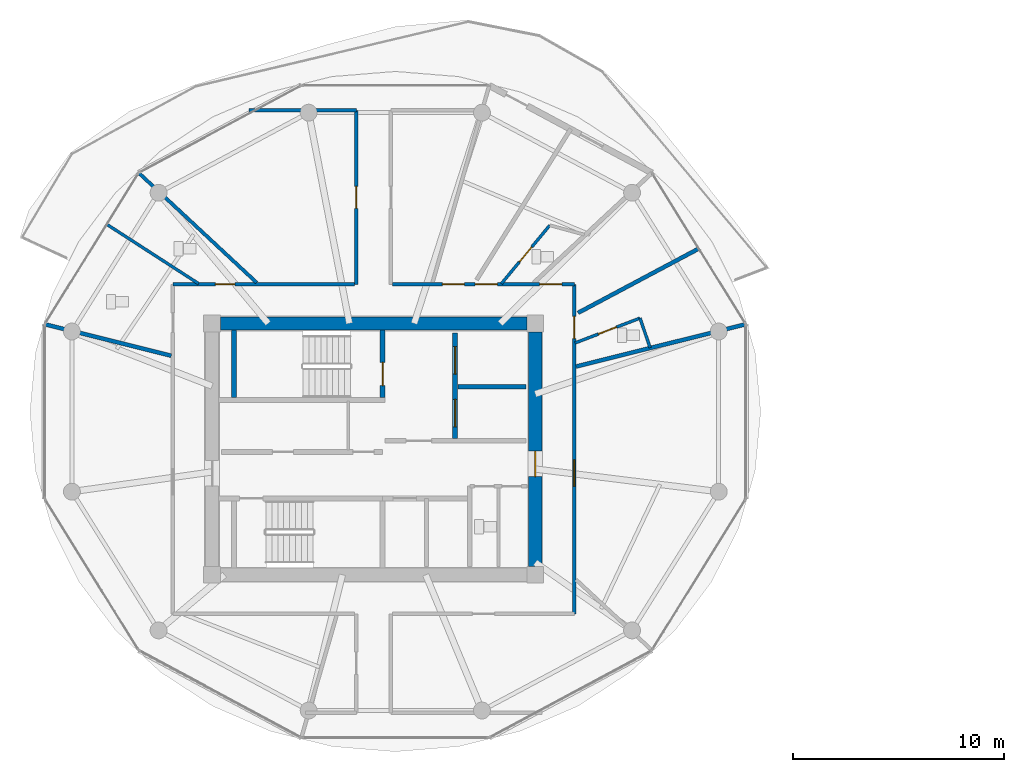
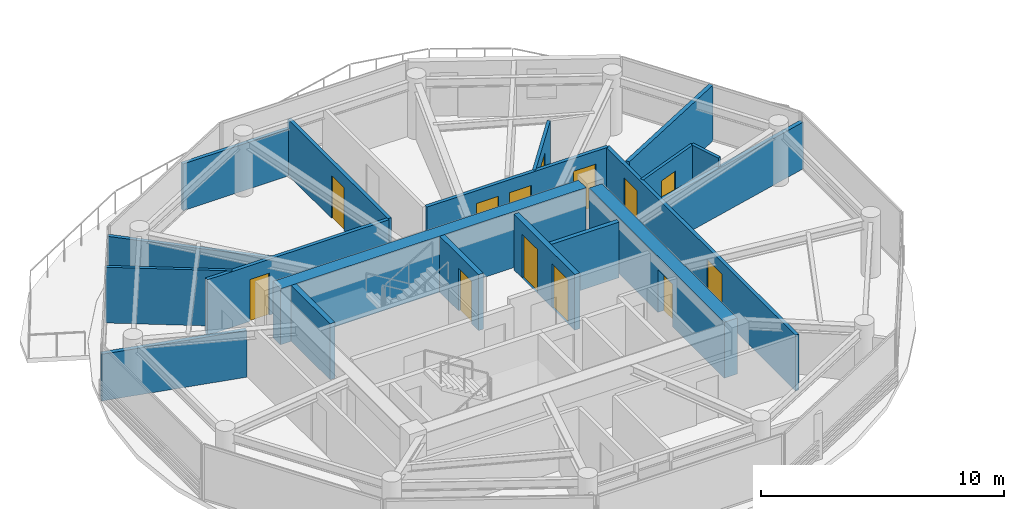
# One storey, part 13 of 21: 19 walls, 13 doors, 13 openings.
"""IFC4 building model written with IfcOpenShell, lengths in metres."""

from ifc_helpers import new_model, si_unit, direction, frame, frame_2d, origin, place, context, subcontext, project, spatial, rectangle, extrude, source, transform, mapped, material, layer, layer_set, type_object, type_shapes, element, fill, save


model = new_model("IFC4")

# Units and contexts
model_context = context("Model", 3, precision=1e-05, world=origin(), true_north=direction((0.0, 1.0)))
body_context = subcontext(model_context, "Body", "Model", "MODEL_VIEW")
ifc_project = project(units=[si_unit("LENGTHUNIT", "METRE"), si_unit("AREAUNIT", "SQUARE_METRE"), si_unit("VOLUMEUNIT", "CUBIC_METRE"), si_unit("PLANEANGLEUNIT", "RADIAN"), si_unit("MASSUNIT", "GRAM", prefix="KILO")], contexts=[model_context])

# Site, building, storey
site_placement = place(None, origin())
site = spatial("IfcSite", under=ifc_project, at=site_placement, CompositionType="ELEMENT")
building_placement = place(site_placement, origin())
building = spatial("IfcBuilding", under=site, at=building_placement, Name="Norrkilde Senior Care Towers", CompositionType="ELEMENT")
storey_placement = place(building_placement, frame((0.0, 0.0, 146.5)))
storey = spatial("IfcBuildingStorey", under=building, at=storey_placement, Name="L45", CompositionType="ELEMENT", Elevation=146.5)

# Wall
ifc_material_1 = material(Name="Concrete C50/60", Category="concrete")
ifc_layer_1 = layer(ifc_material_1, 0.6201171875)
ifc_layer_set_1 = layer_set([ifc_layer_1], Name="Concrete C50/60")
wall_type_1 = type_object("IfcWallType", Name="Core Shear Wall Z3 620", PredefinedType="SHEAR", material=ifc_layer_set_1)
shared_shape_1 = source(origin(), body_context, "Body", "SweptSolid", [
    extrude(rectangle(XDim=14.5, YDim=0.6201171875, at=frame_2d((7.25, 0.0))), origin(), (0.0, 0.0, 1.0), 2.81005859375),
])
wall_1_placement = place(storey_placement, frame((-35.25, 5.949951171875, 0.0), z_axis=(0.0, 0.0, 1.0), x_axis=(1.0, 0.0, 0.0)))
element("IfcWall", 1, at=wall_1_placement, inside=storey, type_object=wall_type_1, Name="L45 Core W North Shear Wall", PredefinedType="SHEAR", context=body_context, shape_type="MappedRepresentation", body=[
    mapped(shared_shape_1, transform((0.0, 0.0, 0.0), x_axis=(1.0, 0.0, 0.0), y_axis=(0.0, 1.0, 0.0), z_axis=(0.0, 0.0, 1.0), scale=1.0)),
])

# Wall, opening, door
shared_shape_2 = source(origin(), body_context, "Body", "SweptSolid", [
    extrude(rectangle(XDim=11.10009765625, YDim=0.6201171875, at=frame_2d((5.550048828125, 0.0))), origin(), (0.0, 0.0, 1.0), 2.81005859375),
])
type_shapes(wall_type_1, [shared_shape_1, shared_shape_2])
wall_2_placement = place(storey_placement, frame((-20.35009765625, 5.550048828125, 0.0), z_axis=(0.0, 0.0, 1.0), x_axis=(0.0, -1.0, 0.0)))
wall_2 = element("IfcWall", 2, at=wall_2_placement, inside=storey, type_object=wall_type_1, Name="L45 Core W East Shear Wall", PredefinedType="SHEAR", context=body_context, shape_type="MappedRepresentation", body=[
    mapped(shared_shape_2, transform((0.0, 0.0, 0.0), x_axis=(1.0, 0.0, 0.0), y_axis=(0.0, 1.0, 0.0), z_axis=(0.0, 0.0, 1.0), scale=1.0)),
])
opening_1_placement = place(wall_2_placement, frame((5.64990234375, 0.0, 0.0)))
opening_1 = element("IfcOpeningElement", 3, at=opening_1_placement, cuts=wall_2, Name="Opening D-04", PredefinedType="OPENING", context=body_context, shape_type="SweptSolid", body=[
    extrude(rectangle(XDim=1.199951171875, YDim=2.14990234375, at=frame_2d((0.60009765625, 1.074951171875))), frame((0.0, 0.320068359375, 0.0), z_axis=(0.0, -1.0, 0.0), x_axis=(1.0, 0.0, 0.0)), (0.0, 0.0, 1.0), 0.64013671875),
])
ifc_material_2 = material(Name="Galvanised Painted Steel", Category="steel")
door_type_1 = type_object("IfcDoorType", Name="Firefighting Lobby Fire Door 1200x2150", OperationType="NOTDEFINED", PredefinedType="DOOR", material=ifc_material_2)
shared_shape_3 = source(origin(), body_context, "Body", "SweptSolid", [
    extrude(rectangle(XDim=1.199951171875, YDim=2.14990234375, at=frame_2d((0.60009765625, 1.074951171875))), frame((0.0, 0.02490234375, 0.0), z_axis=(0.0, -1.0, 0.0), x_axis=(1.0, 0.0, 0.0)), (0.0, 0.0, 1.0), 0.050048828125),
])
type_shapes(door_type_1, [shared_shape_3])
door_1_placement = place(opening_1_placement, frame((1.199951171875, 0.0, 0.0), z_axis=(0.0, 0.0, 1.0), x_axis=(-1.0, 0.0, 0.0)))
door_1 = element("IfcDoor", 4, at=door_1_placement, inside=storey, type_object=door_type_1, Name="L45 Core W East Portal Door", OperationType="SINGLE_SWING_RIGHT", OverallHeight=2.14990234375, OverallWidth=1.199951171875, PredefinedType="DOOR", context=body_context, shape_type="MappedRepresentation", body=[
    mapped(shared_shape_3, transform((0.0, 0.0, 0.0), x_axis=(1.0, 0.0, 0.0), y_axis=(0.0, 1.0, 0.0), z_axis=(0.0, 0.0, 1.0), scale=1.0)),
])
fill(opening_1, door_1)

# Wall
ifc_material_3 = material(Name="Concrete C45/55", Category="concrete")
ifc_layer_2 = layer(ifc_material_3, 0.239990234375)
ifc_layer_set_2 = layer_set([ifc_layer_2], Name="Concrete C45/55")
wall_type_2 = type_object("IfcWallType", Name="Shaft and Stair Enclosure Wall 240", PredefinedType="PARTITIONING", material=ifc_layer_set_2)
shared_shape_4 = source(origin(), body_context, "Body", "SweptSolid", [
    extrude(rectangle(XDim=3.18994140625, YDim=0.239990234375, at=frame_2d((1.594970703125, 0.0))), origin(), (0.0, 0.0, 1.0), 2.81005859375),
])
type_shapes(wall_type_2, [shared_shape_4])
wall_3_placement = place(storey_placement, frame((-34.6201171875, 2.449951171875, 0.0), z_axis=(0.0, 0.0, 1.0), x_axis=(0.0, 1.0, 0.0)))
element("IfcWall", 5, at=wall_3_placement, inside=storey, type_object=wall_type_2, Name="WL-INT-L45-W-ST1W", PredefinedType="PARTITIONING", context=body_context, shape_type="MappedRepresentation", body=[
    mapped(shared_shape_4, transform((0.0, 0.0, 0.0), x_axis=(1.0, 0.0, 0.0), y_axis=(0.0, 1.0, 0.0), z_axis=(0.0, 0.0, 1.0), scale=1.0)),
])

# Wall, opening, door
wall_4_placement = place(storey_placement, frame((-27.580078125, 2.449951171875, 0.0), z_axis=(0.0, 0.0, 1.0), x_axis=(0.0, 1.0, 0.0)))
wall_4 = element("IfcWall", 6, at=wall_4_placement, inside=storey, type_object=wall_type_2, Name="WL-INT-L45-W-ST1E", PredefinedType="PARTITIONING", context=body_context, shape_type="MappedRepresentation", body=[
    mapped(shared_shape_4, transform((0.0, 0.0, 0.0), x_axis=(1.0, 0.0, 0.0), y_axis=(0.0, 1.0, 0.0), z_axis=(0.0, 0.0, 1.0), scale=1.0)),
])
opening_2_placement = place(wall_4_placement, frame((0.550048828125, 0.0, 0.0)))
opening_2 = element("IfcOpeningElement", 7, at=opening_2_placement, cuts=wall_4, Name="Opening D-03", PredefinedType="OPENING", context=body_context, shape_type="SweptSolid", body=[
    extrude(rectangle(XDim=1.10009765625, YDim=2.14990234375, at=frame_2d((0.550048828125, 1.074951171875))), frame((0.0, 0.1298828125, 0.0), z_axis=(0.0, -1.0, 0.0), x_axis=(1.0, 0.0, 0.0)), (0.0, 0.0, 1.0), 0.260009765625),
])
door_type_2 = type_object("IfcDoorType", Name="Stairwell Protected Fire Door 1100x2150", OperationType="NOTDEFINED", PredefinedType="DOOR", material=ifc_material_2)
shared_shape_5 = source(origin(), body_context, "Body", "SweptSolid", [
    extrude(rectangle(XDim=1.10009765625, YDim=2.14990234375, at=frame_2d((0.550048828125, 1.074951171875))), frame((0.0, 0.02490234375, 0.0), z_axis=(0.0, -1.0, 0.0), x_axis=(1.0, 0.0, 0.0)), (0.0, 0.0, 1.0), 0.050048828125),
])
type_shapes(door_type_2, [shared_shape_5])
door_2_placement = place(opening_2_placement, origin())
door_2 = element("IfcDoor", 8, at=door_2_placement, inside=storey, type_object=door_type_2, Name="L45 Stair W1 Fire Door", OperationType="SINGLE_SWING_LEFT", OverallHeight=2.14990234375, OverallWidth=1.10009765625, PredefinedType="DOOR", context=body_context, shape_type="MappedRepresentation", body=[
    mapped(shared_shape_5, transform((0.0, 0.0, 0.0), x_axis=(1.0, 0.0, 0.0), y_axis=(0.0, 1.0, 0.0), z_axis=(0.0, 0.0, 1.0), scale=1.0)),
])
fill(opening_2, door_2)

# Wall, openings, doors
ifc_layer_3 = layer(ifc_material_3, 0.239990234375)
ifc_layer_set_3 = layer_set([ifc_layer_3], Name="Concrete C45/55")
wall_type_3 = type_object("IfcWallType", Name="Lift and Plant Rated Enclosure Partition 240", PredefinedType="PARTITIONING", material=ifc_layer_set_3)
shared_shape_6 = source(origin(), body_context, "Body", "SweptSolid", [
    extrude(rectangle(XDim=5.0, YDim=0.239990234375, at=frame_2d((2.5, 0.0))), origin(), (0.0, 0.0, 1.0), 2.794921875),
])
type_shapes(wall_type_3, [shared_shape_6])
wall_5_placement = place(storey_placement, frame((-24.139892578125, 0.5, 0.0), z_axis=(0.0, 0.0, 1.0), x_axis=(0.0, 1.0, 0.0)))
wall_5 = element("IfcWall", 9, at=wall_5_placement, inside=storey, type_object=wall_type_3, Name="WL-INT-L45-W-FFLE", PredefinedType="PARTITIONING", context=body_context, shape_type="MappedRepresentation", body=[
    mapped(shared_shape_6, transform((0.0, 0.0, 0.0), x_axis=(1.0, 0.0, 0.0), y_axis=(0.0, 1.0, 0.0), z_axis=(0.0, 0.0, 1.0), scale=1.0)),
])
opening_3_placement = place(wall_5_placement, frame((3.050048828125, 0.0, 0.0)))
opening_3 = element("IfcOpeningElement", 10, at=opening_3_placement, cuts=wall_5, Name="Opening LD-02", PredefinedType="OPENING", context=body_context, shape_type="SweptSolid", body=[
    extrude(rectangle(XDim=1.300048828125, YDim=2.199951171875, at=frame_2d((0.64990234375, 1.10009765625))), frame((0.0, 0.1298828125, 0.0), z_axis=(0.0, -1.0, 0.0), x_axis=(1.0, 0.0, 0.0)), (0.0, 0.0, 1.0), 0.260009765625),
])
opening_4_placement = place(wall_5_placement, frame((0.550048828125, 0.0, 0.0)))
opening_4 = element("IfcOpeningElement", 11, at=opening_4_placement, cuts=wall_5, Name="Opening LD-02", PredefinedType="OPENING", context=body_context, shape_type="SweptSolid", body=[
    extrude(rectangle(XDim=1.300048828125, YDim=2.199951171875, at=frame_2d((0.64990234375, 1.10009765625))), frame((0.0, 0.1298828125, 0.0), z_axis=(0.0, -1.0, 0.0), x_axis=(1.0, 0.0, 0.0)), (0.0, 0.0, 1.0), 0.260009765625),
])
ifc_material_4 = material(Name="Stainless Steel", Category="steel")
door_type_3 = type_object("IfcDoorType", Name="Stretcher and FFL Landing Sliding Door 1300x2200", OperationType="NOTDEFINED", PredefinedType="DOOR", material=ifc_material_4)
shared_shape_7 = source(origin(), body_context, "Body", "SweptSolid", [
    extrude(rectangle(XDim=1.300048828125, YDim=2.199951171875, at=frame_2d((0.64990234375, 1.10009765625))), frame((0.0, 0.02490234375, 0.0), z_axis=(0.0, -1.0, 0.0), x_axis=(1.0, 0.0, 0.0)), (0.0, 0.0, 1.0), 0.050048828125),
])
type_shapes(door_type_3, [shared_shape_7])
door_3_placement = place(opening_3_placement, origin())
door_3 = element("IfcDoor", 12, at=door_3_placement, inside=storey, type_object=door_type_3, Name="L45 Firefighting Lift W1 Landing Door", OperationType="SLIDING_TO_LEFT", OverallHeight=2.199951171875, OverallWidth=1.300048828125, PredefinedType="DOOR", context=body_context, shape_type="MappedRepresentation", body=[
    mapped(shared_shape_7, transform((0.0, 0.0, 0.0), x_axis=(1.0, 0.0, 0.0), y_axis=(0.0, 1.0, 0.0), z_axis=(0.0, 0.0, 1.0), scale=1.0)),
])
fill(opening_3, door_3)
door_4_placement = place(opening_4_placement, origin())
door_4 = element("IfcDoor", 13, at=door_4_placement, inside=storey, type_object=door_type_3, Name="L45 Stretcher Lift W1 Landing Door", OperationType="SLIDING_TO_RIGHT", OverallHeight=2.199951171875, OverallWidth=1.300048828125, PredefinedType="DOOR", context=body_context, shape_type="MappedRepresentation", body=[
    mapped(shared_shape_7, transform((0.0, 0.0, 0.0), x_axis=(1.0, 0.0, 0.0), y_axis=(0.0, 1.0, 0.0), z_axis=(0.0, 0.0, 1.0), scale=1.0)),
])
fill(opening_4, door_4)

# Wall
ifc_layer_4 = layer(ifc_material_3, 0.199951171875)
ifc_layer_set_4 = layer_set([ifc_layer_4], Name="Concrete C45/55")
wall_type_4 = type_object("IfcWallType", Name="Shaft Division and Plant Partition 200", PredefinedType="PARTITIONING", material=ifc_layer_set_4)
shared_shape_8 = source(origin(), body_context, "Body", "SweptSolid", [
    extrude(rectangle(XDim=3.199951171875, YDim=0.199951171875, at=frame_2d((1.60009765625, 0.0))), origin(), (0.0, 0.0, 1.0), 2.794921875),
])
type_shapes(wall_type_4, [shared_shape_8])
wall_6_placement = place(storey_placement, frame((-24.0, 2.949951171875, 0.0), z_axis=(0.0, 0.0, 1.0), x_axis=(1.0, 0.0, 0.0)))
element("IfcWall", 14, at=wall_6_placement, inside=storey, type_object=wall_type_4, Name="WL-INT-L45-W-FFLDIV", PredefinedType="PARTITIONING", context=body_context, shape_type="MappedRepresentation", body=[
    mapped(shared_shape_8, transform((0.0, 0.0, 0.0), x_axis=(1.0, 0.0, 0.0), y_axis=(0.0, 1.0, 0.0), z_axis=(0.0, 0.0, 1.0), scale=1.0)),
])

# Wall, opening, door
ifc_material_5 = material(Name="Gypsum Acoustic Board")
ifc_layer_5 = layer(ifc_material_5, 0.1650390625)
ifc_layer_set_5 = layer_set([ifc_layer_5], Name="Gypsum Acoustic Board")
wall_type_5 = type_object("IfcWallType", Name="Corridor Rated Partition 165", PredefinedType="PARTITIONING", material=ifc_layer_set_5)
shared_shape_9 = source(origin(), body_context, "Body", "SweptSolid", [
    extrude(rectangle(XDim=8.60009765625, YDim=0.1650390625, at=frame_2d((4.300048828125, 0.0))), origin(), (0.0, 0.0, 1.0), 2.794921875),
])
wall_7_placement = place(storey_placement, frame((-37.5, 7.800048828125, 0.0), z_axis=(0.0, 0.0, 1.0), x_axis=(1.0, 0.0, 0.0)))
wall_7 = element("IfcWall", 15, at=wall_7_placement, inside=storey, type_object=wall_type_5, Name="WL-INT-L45-W-CRW-N-0", PredefinedType="PARTITIONING", context=body_context, shape_type="MappedRepresentation", body=[
    mapped(shared_shape_9, transform((0.0, 0.0, 0.0), x_axis=(1.0, 0.0, 0.0), y_axis=(0.0, 1.0, 0.0), z_axis=(0.0, 0.0, 1.0), scale=1.0)),
])
opening_5_placement = place(wall_7_placement, frame((2.008544921875, 0.0, 0.0)))
opening_5 = element("IfcOpeningElement", 16, at=opening_5_placement, cuts=wall_7, Name="Opening D-08", PredefinedType="OPENING", context=body_context, shape_type="SweptSolid", body=[
    extrude(rectangle(XDim=0.919921875, YDim=2.10009765625, at=frame_2d((0.4599609375, 1.050048828125))), frame((0.0, 0.092529296875, 0.0), z_axis=(0.0, -1.0, 0.0), x_axis=(1.0, 0.0, 0.0)), (0.0, 0.0, 1.0), 0.18505859375),
])
ifc_material_6 = material(Name="Nordic Ash Timber", Category="wood")
door_type_4 = type_object("IfcDoorType", Name="Accessible Wet Room Door 920x2100", OperationType="NOTDEFINED", PredefinedType="DOOR", material=ifc_material_6)
shared_shape_10 = source(origin(), body_context, "Body", "SweptSolid", [
    extrude(rectangle(XDim=0.919921875, YDim=2.10009765625, at=frame_2d((0.4599609375, 1.050048828125))), frame((0.0, 0.02490234375, 0.0), z_axis=(0.0, -1.0, 0.0), x_axis=(1.0, 0.0, 0.0)), (0.0, 0.0, 1.0), 0.050048828125),
])
type_shapes(door_type_4, [shared_shape_10])
door_5_placement = place(opening_5_placement, frame((0.919921875, 0.0, 0.0), z_axis=(0.0, 0.0, 1.0), x_axis=(-1.0, 0.0, 0.0)))
door_5 = element("IfcDoor", 17, at=door_5_placement, inside=storey, type_object=door_type_4, Name="L45 Accessible Restroom Door", OperationType="SINGLE_SWING_LEFT", OverallHeight=2.10009765625, OverallWidth=0.919921875, PredefinedType="DOOR", context=body_context, shape_type="MappedRepresentation", body=[
    mapped(shared_shape_10, transform((0.0, 0.0, 0.0), x_axis=(1.0, 0.0, 0.0), y_axis=(0.0, 1.0, 0.0), z_axis=(0.0, 0.0, 1.0), scale=1.0)),
])
fill(opening_5, door_5)

# Wall, openings, doors
wall_8_placement = place(storey_placement, frame((-27.10009765625, 7.800048828125, 0.0), z_axis=(0.0, 0.0, 1.0), x_axis=(1.0, 0.0, 0.0)))
wall_8 = element("IfcWall", 18, at=wall_8_placement, inside=storey, type_object=wall_type_5, Name="WL-INT-L45-W-CRW-N-1", PredefinedType="PARTITIONING", context=body_context, shape_type="MappedRepresentation", body=[
    mapped(shared_shape_9, transform((0.0, 0.0, 0.0), x_axis=(1.0, 0.0, 0.0), y_axis=(0.0, 1.0, 0.0), z_axis=(0.0, 0.0, 1.0), scale=1.0)),
])
opening_6_placement = place(wall_8_placement, frame((6.9599609375, 0.0, 0.0)))
opening_6 = element("IfcOpeningElement", 19, at=opening_6_placement, cuts=wall_8, Name="Opening D-06", PredefinedType="OPENING", context=body_context, shape_type="SweptSolid", body=[
    extrude(rectangle(XDim=1.050048828125, YDim=2.14990234375, at=frame_2d((0.52490234375, 1.074951171875))), frame((0.0, 0.092529296875, 0.0), z_axis=(0.0, -1.0, 0.0), x_axis=(1.0, 0.0, 0.0)), (0.0, 0.0, 1.0), 0.18505859375),
])
opening_7_placement = place(wall_8_placement, frame((3.904052734375, 0.0, 0.0)))
opening_7 = element("IfcOpeningElement", 20, at=opening_7_placement, cuts=wall_8, Name="Opening D-06", PredefinedType="OPENING", context=body_context, shape_type="SweptSolid", body=[
    extrude(rectangle(XDim=1.050048828125, YDim=2.14990234375, at=frame_2d((0.52490234375, 1.074951171875))), frame((0.0, 0.092529296875, 0.0), z_axis=(0.0, -1.0, 0.0), x_axis=(1.0, 0.0, 0.0)), (0.0, 0.0, 1.0), 0.18505859375),
])
opening_8_placement = place(wall_8_placement, frame((2.347412109375, 0.0, 0.0)))
opening_8 = element("IfcOpeningElement", 21, at=opening_8_placement, cuts=wall_8, Name="Opening D-06", PredefinedType="OPENING", context=body_context, shape_type="SweptSolid", body=[
    extrude(rectangle(XDim=1.050048828125, YDim=2.14990234375, at=frame_2d((0.52490234375, 1.074951171875))), frame((0.0, 0.092529296875, 0.0), z_axis=(0.0, -1.0, 0.0), x_axis=(1.0, 0.0, 0.0)), (0.0, 0.0, 1.0), 0.18505859375),
])
door_type_5 = type_object("IfcDoorType", Name="Apartment Entrance Fire Door 1050x2150", OperationType="NOTDEFINED", PredefinedType="DOOR", material=ifc_material_6)
shared_shape_11 = source(origin(), body_context, "Body", "SweptSolid", [
    extrude(rectangle(XDim=1.050048828125, YDim=2.14990234375, at=frame_2d((0.52490234375, 1.074951171875))), frame((0.0, 0.02490234375, 0.0), z_axis=(0.0, -1.0, 0.0), x_axis=(1.0, 0.0, 0.0)), (0.0, 0.0, 1.0), 0.050048828125),
])
type_shapes(door_type_5, [shared_shape_11])
door_6_placement = place(opening_6_placement, frame((1.050048828125, 0.0, 0.0), z_axis=(0.0, 0.0, 1.0), x_axis=(-1.0, 0.0, 0.0)))
door_6 = element("IfcDoor", 22, at=door_6_placement, inside=storey, type_object=door_type_5, Name="L45 Therapy Day Lounge 00 Door", OperationType="SINGLE_SWING_RIGHT", OverallHeight=2.14990234375, OverallWidth=1.050048828125, PredefinedType="DOOR", context=body_context, shape_type="MappedRepresentation", body=[
    mapped(shared_shape_11, transform((0.0, 0.0, 0.0), x_axis=(1.0, 0.0, 0.0), y_axis=(0.0, 1.0, 0.0), z_axis=(0.0, 0.0, 1.0), scale=1.0)),
])
fill(opening_6, door_6)
door_7_placement = place(opening_7_placement, frame((1.050048828125, 0.0, 0.0), z_axis=(0.0, 0.0, 1.0), x_axis=(-1.0, 0.0, 0.0)))
door_7 = element("IfcDoor", 23, at=door_7_placement, inside=storey, type_object=door_type_5, Name="L45 Care Suite 4501A Entrance Door", OperationType="SINGLE_SWING_LEFT", OverallHeight=2.14990234375, OverallWidth=1.050048828125, PredefinedType="DOOR", context=body_context, shape_type="MappedRepresentation", body=[
    mapped(shared_shape_11, transform((0.0, 0.0, 0.0), x_axis=(1.0, 0.0, 0.0), y_axis=(0.0, 1.0, 0.0), z_axis=(0.0, 0.0, 1.0), scale=1.0)),
])
fill(opening_7, door_7)
door_8_placement = place(opening_8_placement, frame((1.050048828125, 0.0, 0.0), z_axis=(0.0, 0.0, 1.0), x_axis=(-1.0, 0.0, 0.0)))
door_8 = element("IfcDoor", 24, at=door_8_placement, inside=storey, type_object=door_type_5, Name="L45 Therapy Day Lounge 01 Door", OperationType="SINGLE_SWING_LEFT", OverallHeight=2.14990234375, OverallWidth=1.050048828125, PredefinedType="DOOR", context=body_context, shape_type="MappedRepresentation", body=[
    mapped(shared_shape_11, transform((0.0, 0.0, 0.0), x_axis=(1.0, 0.0, 0.0), y_axis=(0.0, 1.0, 0.0), z_axis=(0.0, 0.0, 1.0), scale=1.0)),
])
fill(opening_8, door_8)

shared_shape_12 = source(origin(), body_context, "Body", "SweptSolid", [
    extrude(rectangle(XDim=15.60009765625, YDim=0.1650390625, at=frame_2d((7.800048828125, 0.0))), origin(), (0.0, 0.0, 1.0), 2.794921875),
])
wall_9_placement = place(storey_placement, frame((-18.5, 7.800048828125, 0.0), z_axis=(0.0, 0.0, 1.0), x_axis=(0.0, -1.0, 0.0)))
wall_9 = element("IfcWall", 25, at=wall_9_placement, inside=storey, type_object=wall_type_5, Name="WL-INT-L45-W-CRW-E-0", PredefinedType="PARTITIONING", context=body_context, shape_type="MappedRepresentation", body=[
    mapped(shared_shape_12, transform((0.0, 0.0, 0.0), x_axis=(1.0, 0.0, 0.0), y_axis=(0.0, 1.0, 0.0), z_axis=(0.0, 0.0, 1.0), scale=1.0)),
])
opening_9_placement = place(wall_9_placement, frame((8.31396484375, 0.0, 0.0)))
opening_9 = element("IfcOpeningElement", 26, at=opening_9_placement, cuts=wall_9, Name="Opening D-05", PredefinedType="OPENING", context=body_context, shape_type="SweptSolid", body=[
    extrude(rectangle(XDim=1.25, YDim=2.199951171875, at=frame_2d((0.625, 1.10009765625))), frame((0.0, 0.092529296875, 0.0), z_axis=(0.0, -1.0, 0.0), x_axis=(1.0, 0.0, 0.0)), (0.0, 0.0, 1.0), 0.18505859375),
])
opening_10_placement = place(wall_9_placement, frame((1.514892578125, 0.0, 0.0)))
opening_10 = element("IfcOpeningElement", 27, at=opening_10_placement, cuts=wall_9, Name="Opening D-06", PredefinedType="OPENING", context=body_context, shape_type="SweptSolid", body=[
    extrude(rectangle(XDim=1.050048828125, YDim=2.14990234375, at=frame_2d((0.52490234375, 1.074951171875))), frame((0.0, 0.092529296875, 0.0), z_axis=(0.0, -1.0, 0.0), x_axis=(1.0, 0.0, 0.0)), (0.0, 0.0, 1.0), 0.18505859375),
])
door_type_6 = type_object("IfcDoorType", Name="Care Bedroom Bariatric Door 1250x2200", OperationType="NOTDEFINED", PredefinedType="DOOR", material=ifc_material_6)
shared_shape_13 = source(origin(), body_context, "Body", "SweptSolid", [
    extrude(rectangle(XDim=1.25, YDim=2.199951171875, at=frame_2d((0.625, 1.10009765625))), frame((0.0, 0.02490234375, 0.0), z_axis=(0.0, -1.0, 0.0), x_axis=(1.0, 0.0, 0.0)), (0.0, 0.0, 1.0), 0.050048828125),
])
type_shapes(door_type_6, [shared_shape_13])
door_9_placement = place(opening_9_placement, frame((1.25, 0.0, 0.0), z_axis=(0.0, 0.0, 1.0), x_axis=(-1.0, 0.0, 0.0)))
door_9 = element("IfcDoor", 28, at=door_9_placement, inside=storey, type_object=door_type_6, Name="L45 Resident Therapeutic Day Lounge Door", OperationType="SINGLE_SWING_LEFT", OverallHeight=2.199951171875, OverallWidth=1.25, PredefinedType="DOOR", context=body_context, shape_type="MappedRepresentation", body=[
    mapped(shared_shape_13, transform((0.0, 0.0, 0.0), x_axis=(1.0, 0.0, 0.0), y_axis=(0.0, 1.0, 0.0), z_axis=(0.0, 0.0, 1.0), scale=1.0)),
])
fill(opening_9, door_9)
door_10_placement = place(opening_10_placement, frame((1.050048828125, 0.0, 0.0), z_axis=(0.0, 0.0, 1.0), x_axis=(-1.0, 0.0, 0.0)))
door_10 = element("IfcDoor", 29, at=door_10_placement, inside=storey, type_object=door_type_5, Name="L45 Care Suite 4500A Entrance Door", OperationType="SINGLE_SWING_RIGHT", OverallHeight=2.14990234375, OverallWidth=1.050048828125, PredefinedType="DOOR", context=body_context, shape_type="MappedRepresentation", body=[
    mapped(shared_shape_11, transform((0.0, 0.0, 0.0), x_axis=(1.0, 0.0, 0.0), y_axis=(0.0, 1.0, 0.0), z_axis=(0.0, 0.0, 1.0), scale=1.0)),
])
fill(opening_10, door_10)

# Wall
shared_shape_14 = source(origin(), body_context, "Body", "SweptSolid", [
    extrude(rectangle(XDim=7.64794921875, YDim=0.1650390625, at=frame_2d((3.823974609375, 0.0))), origin(), (0.0, 0.0, 1.0), 2.344970703125),
])
wall_10_placement = place(storey_placement, frame((-33.53759765625, 7.8798828125, 0.0), z_axis=(0.0, 0.0, 1.0), x_axis=(-0.732167856666, 0.681124239522, 0.0)))
element("IfcWall", 30, at=wall_10_placement, inside=storey, type_object=wall_type_5, Name="WL-INT-L45-W-DEM-04-0", PredefinedType="PARTITIONING", context=body_context, shape_type="MappedRepresentation", body=[
    mapped(shared_shape_14, transform((0.0, 0.0, 0.0), x_axis=(1.0, 0.0, 0.0), y_axis=(0.0, 1.0, 0.0), z_axis=(0.0, 0.0, 1.0), scale=1.0)),
])

# Wall, opening, door
shared_shape_15 = source(origin(), body_context, "Body", "SweptSolid", [
    extrude(rectangle(XDim=8.2353515625, YDim=0.1650390625, at=frame_2d((4.11767578125, 0.0))), origin(), (0.0, 0.0, 1.0), 2.794921875),
])
wall_11_placement = place(storey_placement, frame((-28.820068359375, 7.800048828125, 0.0), z_axis=(0.0, 0.0, 1.0), x_axis=(0.0, 1.0, 0.0)))
wall_11 = element("IfcWall", 31, at=wall_11_placement, inside=storey, type_object=wall_type_5, Name="WL-INT-L45-W-PKW-NWL", PredefinedType="PARTITIONING", context=body_context, shape_type="MappedRepresentation", body=[
    mapped(shared_shape_15, transform((0.0, 0.0, 0.0), x_axis=(1.0, 0.0, 0.0), y_axis=(0.0, 1.0, 0.0), z_axis=(0.0, 0.0, 1.0), scale=1.0)),
])
opening_11_placement = place(wall_11_placement, frame((3.5927734375, 0.0, 0.0)))
opening_11 = element("IfcOpeningElement", 32, at=opening_11_placement, cuts=wall_11, Name="Opening D-06", PredefinedType="OPENING", context=body_context, shape_type="SweptSolid", body=[
    extrude(rectangle(XDim=1.050048828125, YDim=2.14990234375, at=frame_2d((0.52490234375, 1.074951171875))), frame((0.0, 0.092529296875, 0.0), z_axis=(0.0, -1.0, 0.0), x_axis=(1.0, 0.0, 0.0)), (0.0, 0.0, 1.0), 0.18505859375),
])
door_11_placement = place(opening_11_placement, frame((1.050048828125, 0.0, 0.0), z_axis=(0.0, 0.0, 1.0), x_axis=(-1.0, 0.0, 0.0)))
door_11 = element("IfcDoor", 33, at=door_11_placement, inside=storey, type_object=door_type_5, Name="L45 Reading Lounge NWL Door", OperationType="SINGLE_SWING_RIGHT", OverallHeight=2.14990234375, OverallWidth=1.050048828125, PredefinedType="DOOR", context=body_context, shape_type="MappedRepresentation", body=[
    mapped(shared_shape_11, transform((0.0, 0.0, 0.0), x_axis=(1.0, 0.0, 0.0), y_axis=(0.0, 1.0, 0.0), z_axis=(0.0, 0.0, 1.0), scale=1.0)),
])
fill(opening_11, door_11)

# Walls
shared_shape_16 = source(origin(), body_context, "Body", "SweptSolid", [
    extrude(rectangle(XDim=5.0888671875, YDim=0.1650390625, at=frame_2d((2.54443359375, 0.0))), origin(), (0.0, 0.0, 1.0), 2.344970703125),
])
type_shapes(wall_type_5, [shared_shape_9, shared_shape_12, shared_shape_14, shared_shape_15, shared_shape_16])
wall_12_placement = place(storey_placement, frame((-33.908935546875, 16.035400390625, 0.0), z_axis=(0.0, 0.0, 1.0), x_axis=(1.0, 0.0, 0.0)))
element("IfcWall", 34, at=wall_12_placement, inside=storey, type_object=wall_type_5, Name="WL-INT-L45-W-PKH-NWL-0", PredefinedType="PARTITIONING", context=body_context, shape_type="MappedRepresentation", body=[
    mapped(shared_shape_16, transform((0.0, 0.0, 0.0), x_axis=(1.0, 0.0, 0.0), y_axis=(0.0, 1.0, 0.0), z_axis=(0.0, 0.0, 1.0), scale=1.0)),
])
ifc_layer_6 = layer(ifc_material_5, 0.18994140625)
ifc_layer_set_6 = layer_set([ifc_layer_6], Name="Gypsum Acoustic Board")
wall_type_6 = type_object("IfcWallType", Name="Unit Demising Acoustic Wall 190", PredefinedType="PARTITIONING", material=ifc_layer_set_6)
shared_shape_17 = source(origin(), body_context, "Body", "SweptSolid", [
    extrude(rectangle(XDim=6.192626953125, YDim=0.18994140625, at=frame_2d((3.09619140625, 0.0))), origin(), (0.0, 0.0, 1.0), 2.344970703125),
])
wall_13_placement = place(storey_placement, frame((-37.580078125, 4.418701171875, 0.0), z_axis=(0.0, 0.0, 1.0), x_axis=(-0.970309243466, 0.241867674657, 0.0)))
element("IfcWall", 35, at=wall_13_placement, inside=storey, type_object=wall_type_6, Name="WL-INT-L45-W-DEM-05-0", PredefinedType="PARTITIONING", context=body_context, shape_type="MappedRepresentation", body=[
    mapped(shared_shape_17, transform((0.0, 0.0, 0.0), x_axis=(1.0, 0.0, 0.0), y_axis=(0.0, 1.0, 0.0), z_axis=(0.0, 0.0, 1.0), scale=1.0)),
])
shared_shape_18 = source(origin(), body_context, "Body", "SweptSolid", [
    extrude(rectangle(XDim=8.305419921875, YDim=0.18994140625, at=frame_2d((4.15283203125, 0.0))), origin(), (0.0, 0.0, 1.0), 2.344970703125),
])
wall_14_placement = place(storey_placement, frame((-18.419921875, 3.90771484375, 0.0), z_axis=(0.0, 0.0, 1.0), x_axis=(0.970309994378, 0.241864662175, 0.0)))
element("IfcWall", 36, at=wall_14_placement, inside=storey, type_object=wall_type_6, Name="WL-INT-L45-W-DEM-00-0", PredefinedType="PARTITIONING", context=body_context, shape_type="MappedRepresentation", body=[
    mapped(shared_shape_18, transform((0.0, 0.0, 0.0), x_axis=(1.0, 0.0, 0.0), y_axis=(0.0, 1.0, 0.0), z_axis=(0.0, 0.0, 1.0), scale=1.0)),
])
ifc_layer_7 = layer(ifc_material_5, 0.139892578125)
ifc_layer_set_7 = layer_set([ifc_layer_7], Name="Gypsum Acoustic Board")
wall_type_7 = type_object("IfcWallType", Name="En-suite Wet Room Wall 140", PredefinedType="PARTITIONING", material=ifc_layer_set_7)
shared_shape_19 = source(origin(), body_context, "Body", "SweptSolid", [
    extrude(rectangle(XDim=5.19677734375, YDim=0.139892578125, at=frame_2d((2.598388671875, 0.0))), origin(), (0.0, 0.0, 1.0), 2.794921875),
])
wall_15_placement = place(storey_placement, frame((-36.285888671875, 7.830078125, 0.0), z_axis=(0.0, 0.0, 1.0), x_axis=(-0.839929187515, 0.542696010637, 0.0)))
element("IfcWall", 37, at=wall_15_placement, inside=storey, type_object=wall_type_7, Name="WL-INT-L45-W-MID-04", PredefinedType="PARTITIONING", context=body_context, shape_type="MappedRepresentation", body=[
    mapped(shared_shape_19, transform((0.0, 0.0, 0.0), x_axis=(1.0, 0.0, 0.0), y_axis=(0.0, 1.0, 0.0), z_axis=(0.0, 0.0, 1.0), scale=1.0)),
])
shared_shape_20 = source(origin(), body_context, "Body", "SweptSolid", [
    extrude(rectangle(XDim=6.4990234375, YDim=0.18994140625, at=frame_2d((3.24951171875, 0.0))), origin(), (0.0, 0.0, 1.0), 2.794921875),
])
type_shapes(wall_type_6, [shared_shape_17, shared_shape_18, shared_shape_20])
wall_16_placement = place(storey_placement, frame((-18.32373046875, 6.44873046875, 0.0), z_axis=(0.0, 0.0, 1.0), x_axis=(0.882715595921, 0.469907625729, 0.0)))
element("IfcWall", 38, at=wall_16_placement, inside=storey, type_object=wall_type_6, Name="WL-INT-L45-W-CMID-00", PredefinedType="PARTITIONING", context=body_context, shape_type="MappedRepresentation", body=[
    mapped(shared_shape_20, transform((0.0, 0.0, 0.0), x_axis=(1.0, 0.0, 0.0), y_axis=(0.0, 1.0, 0.0), z_axis=(0.0, 0.0, 1.0), scale=1.0)),
])

# Wall, opening, door
shared_shape_21 = source(origin(), body_context, "Body", "SweptSolid", [
    extrude(rectangle(XDim=3.295166015625, YDim=0.139892578125, at=frame_2d((1.6474609375, 0.0))), origin(), (0.0, 0.0, 1.0), 2.794921875),
])
wall_17_placement = place(storey_placement, frame((-18.469970703125, 5.022705078125, 0.0), z_axis=(0.0, 0.0, 1.0), x_axis=(0.934202224769, 0.356743890258, 0.0)))
wall_17 = element("IfcWall", 39, at=wall_17_placement, inside=storey, type_object=wall_type_7, Name="WL-INT-L45-W-ES-00A", PredefinedType="PARTITIONING", context=body_context, shape_type="MappedRepresentation", body=[
    mapped(shared_shape_21, transform((0.0, 0.0, 0.0), x_axis=(1.0, 0.0, 0.0), y_axis=(0.0, 1.0, 0.0), z_axis=(0.0, 0.0, 1.0), scale=1.0)),
])
opening_12_placement = place(wall_17_placement, frame((1.1875, 0.0, 0.0)))
opening_12 = element("IfcOpeningElement", 40, at=opening_12_placement, cuts=wall_17, Name="Opening D-08", PredefinedType="OPENING", context=body_context, shape_type="SweptSolid", body=[
    extrude(rectangle(XDim=0.919921875, YDim=2.10009765625, at=frame_2d((0.4599609375, 1.050048828125))), frame((0.0, 0.079833984375, 0.0), z_axis=(0.0, -1.0, 0.0), x_axis=(1.0, 0.0, 0.0)), (0.0, 0.0, 1.0), 0.159912109375),
])
door_12_placement = place(opening_12_placement, origin())
door_12 = element("IfcDoor", 41, at=door_12_placement, inside=storey, type_object=door_type_4, Name="L45 Care Suite 4500A Bathroom Door", OperationType="SINGLE_SWING_LEFT", OverallHeight=2.10009765625, OverallWidth=0.919921875, PredefinedType="DOOR", context=body_context, shape_type="MappedRepresentation", body=[
    mapped(shared_shape_10, transform((0.0, 0.0, 0.0), x_axis=(1.0, 0.0, 0.0), y_axis=(0.0, 1.0, 0.0), z_axis=(0.0, 0.0, 1.0), scale=1.0)),
])
fill(opening_12, door_12)

# Wall
shared_shape_22 = source(origin(), body_context, "Body", "SweptSolid", [
    extrude(rectangle(XDim=1.478759765625, YDim=0.139892578125, at=frame_2d((0.7392578125, 0.0))), origin(), (0.0, 0.0, 1.0), 2.794921875),
])
wall_18_placement = place(storey_placement, frame((-15.3916015625, 6.1982421875, 0.0), z_axis=(0.0, 0.0, 1.0), x_axis=(0.324438293903, -0.945906862989, 0.0)))
element("IfcWall", 42, at=wall_18_placement, inside=storey, type_object=wall_type_7, Name="WL-INT-L45-W-EF-00A", PredefinedType="PARTITIONING", context=body_context, shape_type="MappedRepresentation", body=[
    mapped(shared_shape_22, transform((0.0, 0.0, 0.0), x_axis=(1.0, 0.0, 0.0), y_axis=(0.0, 1.0, 0.0), z_axis=(0.0, 0.0, 1.0), scale=1.0)),
])

# Wall, opening, door
shared_shape_23 = source(origin(), body_context, "Body", "SweptSolid", [
    extrude(rectangle(XDim=3.59326171875, YDim=0.139892578125, at=frame_2d((1.796630859375, 0.0))), origin(), (0.0, 0.0, 1.0), 2.794921875),
])
type_shapes(wall_type_7, [shared_shape_19, shared_shape_21, shared_shape_22, shared_shape_23])
wall_19_placement = place(storey_placement, frame((-21.955322265625, 7.830078125, 0.0), z_axis=(0.0, 0.0, 1.0), x_axis=(0.638271060163, 0.769811700196, 0.0)))
wall_19 = element("IfcWall", 43, at=wall_19_placement, inside=storey, type_object=wall_type_7, Name="WL-INT-L45-W-ES-01A", PredefinedType="PARTITIONING", context=body_context, shape_type="MappedRepresentation", body=[
    mapped(shared_shape_23, transform((0.0, 0.0, 0.0), x_axis=(1.0, 0.0, 0.0), y_axis=(0.0, 1.0, 0.0), z_axis=(0.0, 0.0, 1.0), scale=1.0)),
])
opening_13_placement = place(wall_19_placement, frame((1.336669921875, 0.0, 0.0)))
opening_13 = element("IfcOpeningElement", 44, at=opening_13_placement, cuts=wall_19, Name="Opening D-08", PredefinedType="OPENING", context=body_context, shape_type="SweptSolid", body=[
    extrude(rectangle(XDim=0.919921875, YDim=2.10009765625, at=frame_2d((0.4599609375, 1.050048828125))), frame((0.0, 0.079833984375, 0.0), z_axis=(0.0, -1.0, 0.0), x_axis=(1.0, 0.0, 0.0)), (0.0, 0.0, 1.0), 0.159912109375),
])
door_13_placement = place(opening_13_placement, origin())
door_13 = element("IfcDoor", 45, at=door_13_placement, inside=storey, type_object=door_type_4, Name="L45 Care Suite 4501A Bathroom Door", OperationType="SINGLE_SWING_RIGHT", OverallHeight=2.10009765625, OverallWidth=0.919921875, PredefinedType="DOOR", context=body_context, shape_type="MappedRepresentation", body=[
    mapped(shared_shape_10, transform((0.0, 0.0, 0.0), x_axis=(1.0, 0.0, 0.0), y_axis=(0.0, 1.0, 0.0), z_axis=(0.0, 0.0, 1.0), scale=1.0)),
])
fill(opening_13, door_13)

save(model, "model.ifc")
